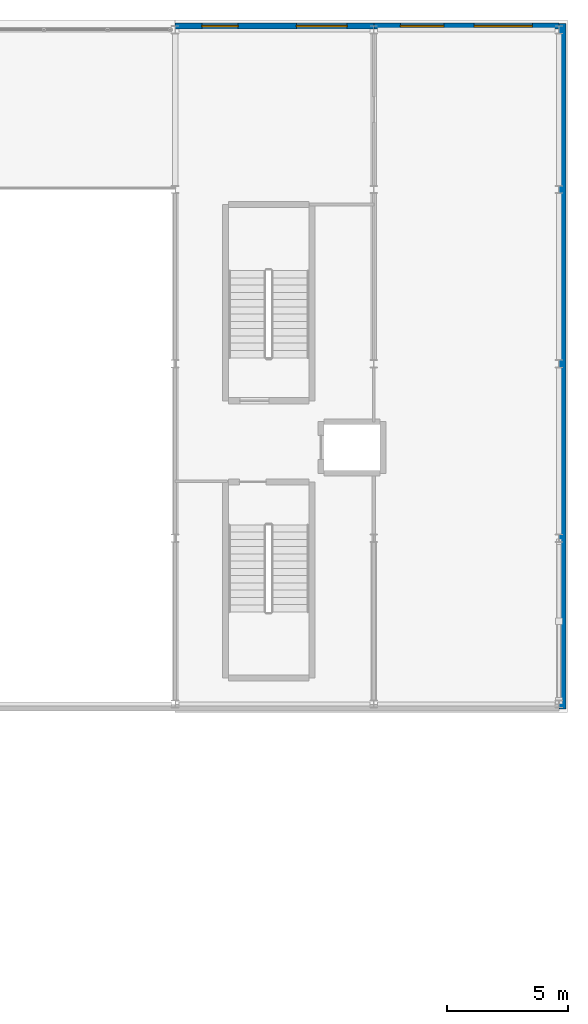
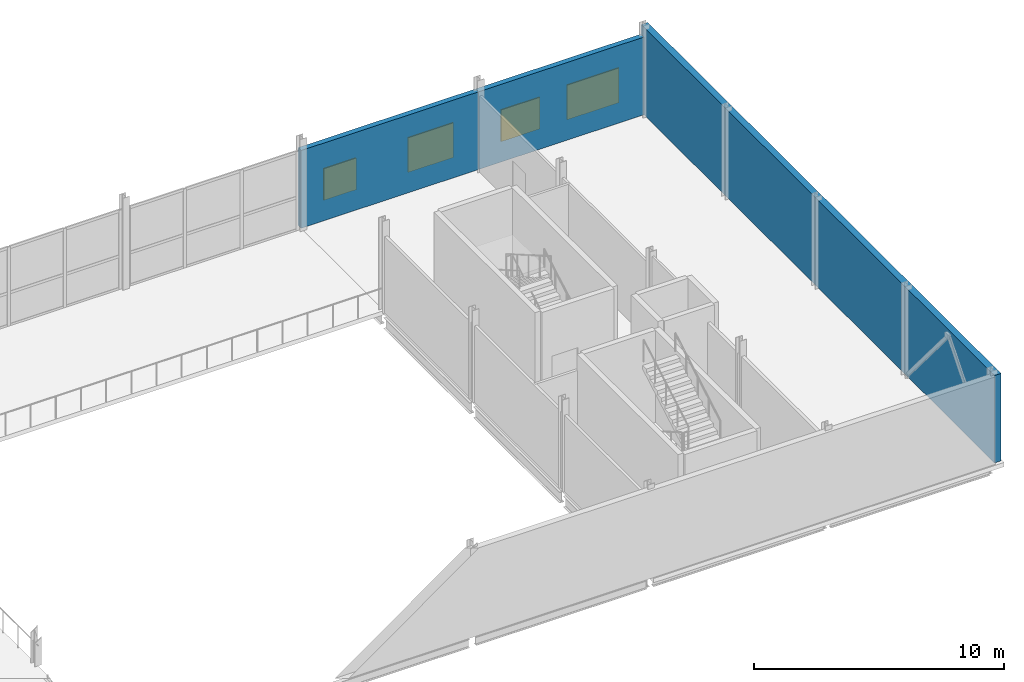
# One storey, part 69 of 77: 4 windows, 3 walls, 4 openings.
"""IFC4 building model written with IfcOpenShell, lengths in metres."""

from ifc_helpers import new_model, si_unit, direction, frame, frame_2d, origin, place, context, subcontext, project, spatial, rectangle, extrude, material, layer, layer_set, type_object, element, fill, save


model = new_model("IFC4")

# Units and contexts
model_context = context("Model", 3, precision=1e-05, world=origin(), true_north=direction((0.0, 1.0)))
body_context = subcontext(model_context, "Body", "Model", "MODEL_VIEW")
ifc_project = project(units=[si_unit("LENGTHUNIT", "METRE"), si_unit("AREAUNIT", "SQUARE_METRE"), si_unit("VOLUMEUNIT", "CUBIC_METRE"), si_unit("PLANEANGLEUNIT", "RADIAN"), si_unit("MASSUNIT", "GRAM", prefix="KILO")], contexts=[model_context])

# Site, building, storey
site_placement = place(None, origin())
site = spatial("IfcSite", under=ifc_project, at=site_placement, CompositionType="ELEMENT")
building_placement = place(site_placement, origin())
building = spatial("IfcBuilding", under=site, at=building_placement, Name="Quillay Park Conservatory", CompositionType="ELEMENT")
storey_placement = place(building_placement, frame((0.0, 0.0, 5.39990234375)))
storey = spatial("IfcBuildingStorey", under=building, at=storey_placement, Name="L01", CompositionType="ELEMENT", Elevation=5.39990234375)

# Wall, openings, windows
ifc_material_1 = material(Name="Glass-Fibre Reinforced Concrete (GRC) Cladding", Category="concrete")
ifc_layer_1 = layer(ifc_material_1, 0.239990234375)
ifc_layer_set_1 = layer_set([ifc_layer_1], Name="EXTERIOR SOLID WALL 240 (Glass-Fibre Reinforced Concrete (GRC) Cladding)")
wall_type_1 = type_object("IfcWallType", Name="EXTERIOR SOLID WALL 240", PredefinedType="SOLIDWALL", material=ifc_layer_set_1)
wall_1_placement = place(storey_placement, frame((148.0, 113.550048828125, 0.0), z_axis=(0.0, 0.0, 1.0), x_axis=(1.0, 0.0, 0.0)))
wall_1 = element("IfcWall", 1, at=wall_1_placement, inside=storey, type_object=wall_type_1, Name="L01 External Wall WL-EXT-V2NB-L01-3", PredefinedType="SOLIDWALL", context=body_context, shape_type="SweptSolid", body=[
    extrude(rectangle(XDim=8.199951171875, YDim=0.239990234375, at=frame_2d((4.10009765625, 0.0))), origin(), (0.0, 0.0, 1.0), 3.800048828125),
])
opening_1_placement = place(wall_1_placement, frame((1.10009765625, 0.0, 0.919921875)))
opening_1 = element("IfcOpeningElement", 2, at=opening_1_placement, cuts=wall_1, Name="Opening W-08", PredefinedType="OPENING", context=body_context, shape_type="SweptSolid", body=[
    extrude(rectangle(XDim=1.5, YDim=1.550048828125, at=frame_2d((0.75, 0.77490234375))), frame((0.0, 0.1201171875, 0.0), z_axis=(0.0, -1.0, 0.0), x_axis=(1.0, 0.0, 0.0)), (0.0, 0.0, 1.0), 0.239990234375),
])
opening_2_placement = place(wall_1_placement, frame((5.0, 0.0, 0.919921875)))
opening_2 = element("IfcOpeningElement", 3, at=opening_2_placement, cuts=wall_1, Name="Opening W-15", PredefinedType="OPENING", context=body_context, shape_type="SweptSolid", body=[
    extrude(rectangle(XDim=2.10009765625, YDim=1.699951171875, at=frame_2d((1.050048828125, 0.85009765625))), frame((0.0, 0.1201171875, 0.0), z_axis=(0.0, -1.0, 0.0), x_axis=(1.0, 0.0, 0.0)), (0.0, 0.0, 1.0), 0.239990234375),
])
ifc_material_2 = material(Name="Low-E Double Glazing (Laminated Tempered)", Category="glass")
window_type_1 = type_object("IfcWindowType", Name="FIXED CASEMENT WINDOW 1500 X1550", PartitioningType="SINGLE_PANEL", PredefinedType="WINDOW", material=ifc_material_2)
window_1_placement = place(opening_1_placement, origin())
window_1 = element("IfcWindow", 4, at=window_1_placement, inside=storey, type_object=window_type_1, Name="L01 Exterior Window 0385", OverallHeight=1.550048828125, OverallWidth=1.5, PartitioningType="SINGLE_PANEL", PredefinedType="WINDOW", context=body_context, shape_type="SweptSolid", body=[
    extrude(rectangle(XDim=1.5, YDim=1.550048828125, at=frame_2d((0.75, 0.77490234375))), frame((0.0, 0.030029296875, 0.0), z_axis=(0.0, -1.0, 0.0), x_axis=(1.0, 0.0, 0.0)), (0.0, 0.0, 1.0), 0.06005859375),
])
fill(opening_1, window_1)
ifc_material_3 = material(Name="Low-E Double Glazing (Laminated Tempered)", Category="glass")
window_type_2 = type_object("IfcWindowType", Name="FIXED CASEMENT WINDOW 2100 X1700", PartitioningType="DOUBLE_PANEL_VERTICAL", PredefinedType="WINDOW", material=ifc_material_3)
window_2_placement = place(opening_2_placement, origin())
window_2 = element("IfcWindow", 5, at=window_2_placement, inside=storey, type_object=window_type_2, Name="L01 Exterior Window 0386", OverallHeight=1.699951171875, OverallWidth=2.10009765625, PartitioningType="DOUBLE_PANEL_VERTICAL", PredefinedType="WINDOW", context=body_context, shape_type="SweptSolid", body=[
    extrude(rectangle(XDim=2.10009765625, YDim=1.699951171875, at=frame_2d((1.050048828125, 0.85009765625))), frame((0.0, 0.030029296875, 0.0), z_axis=(0.0, -1.0, 0.0), x_axis=(1.0, 0.0, 0.0)), (0.0, 0.0, 1.0), 0.06005859375),
])
fill(opening_2, window_2)

wall_2_placement = place(storey_placement, frame((156.199951171875, 113.550048828125, 0.0), z_axis=(0.0, 0.0, 1.0), x_axis=(1.0, 0.0, 0.0)))
wall_2 = element("IfcWall", 6, at=wall_2_placement, inside=storey, type_object=wall_type_1, Name="L01 External Wall WL-EXT-V2NB-L01-4", PredefinedType="SOLIDWALL", context=body_context, shape_type="SweptSolid", body=[
    extrude(rectangle(XDim=7.650146484375, YDim=0.239990234375, at=frame_2d((3.8251953125, 0.0))), origin(), (0.0, 0.0, 1.0), 3.800048828125),
])
opening_3_placement = place(wall_2_placement, frame((1.10009765625, 0.0, 0.919921875)))
opening_3 = element("IfcOpeningElement", 7, at=opening_3_placement, cuts=wall_2, Name="Opening W-09", PredefinedType="OPENING", context=body_context, shape_type="SweptSolid", body=[
    extrude(rectangle(XDim=1.800048828125, YDim=1.550048828125, at=frame_2d((0.89990234375, 0.77490234375))), frame((0.0, 0.1201171875, 0.0), z_axis=(0.0, -1.0, 0.0), x_axis=(1.0, 0.0, 0.0)), (0.0, 0.0, 1.0), 0.239990234375),
])
opening_4_placement = place(wall_2_placement, frame((4.14990234375, 0.0, 0.919921875)))
opening_4 = element("IfcOpeningElement", 8, at=opening_4_placement, cuts=wall_2, Name="Opening W-16", PredefinedType="OPENING", context=body_context, shape_type="SweptSolid", body=[
    extrude(rectangle(XDim=2.39990234375, YDim=1.699951171875, at=frame_2d((1.199951171875, 0.85009765625))), frame((0.0, 0.1201171875, 0.0), z_axis=(0.0, -1.0, 0.0), x_axis=(1.0, 0.0, 0.0)), (0.0, 0.0, 1.0), 0.239990234375),
])
ifc_material_4 = material(Name="Low-E Double Glazing (Laminated Tempered)", Category="glass")
window_type_3 = type_object("IfcWindowType", Name="FIXED CASEMENT WINDOW 1800 X1550", PartitioningType="DOUBLE_PANEL_VERTICAL", PredefinedType="WINDOW", material=ifc_material_4)
window_3_placement = place(opening_3_placement, origin())
window_3 = element("IfcWindow", 9, at=window_3_placement, inside=storey, type_object=window_type_3, Name="L01 Exterior Window 0387", OverallHeight=1.550048828125, OverallWidth=1.800048828125, PartitioningType="DOUBLE_PANEL_VERTICAL", PredefinedType="WINDOW", context=body_context, shape_type="SweptSolid", body=[
    extrude(rectangle(XDim=1.800048828125, YDim=1.550048828125, at=frame_2d((0.89990234375, 0.77490234375))), frame((0.0, 0.030029296875, 0.0), z_axis=(0.0, -1.0, 0.0), x_axis=(1.0, 0.0, 0.0)), (0.0, 0.0, 1.0), 0.06005859375),
])
fill(opening_3, window_3)
ifc_material_5 = material(Name="Low-E Double Glazing (Laminated Tempered)", Category="glass")
window_type_4 = type_object("IfcWindowType", Name="FIXED CASEMENT WINDOW 2400 X1700", PartitioningType="DOUBLE_PANEL_VERTICAL", PredefinedType="WINDOW", material=ifc_material_5)
window_4_placement = place(opening_4_placement, origin())
window_4 = element("IfcWindow", 10, at=window_4_placement, inside=storey, type_object=window_type_4, Name="L01 Exterior Window 0388", OverallHeight=1.699951171875, OverallWidth=2.39990234375, PartitioningType="DOUBLE_PANEL_VERTICAL", PredefinedType="WINDOW", context=body_context, shape_type="SweptSolid", body=[
    extrude(rectangle(XDim=2.39990234375, YDim=1.699951171875, at=frame_2d((1.199951171875, 0.85009765625))), frame((0.0, 0.030029296875, 0.0), z_axis=(0.0, -1.0, 0.0), x_axis=(1.0, 0.0, 0.0)), (0.0, 0.0, 1.0), 0.06005859375),
])
fill(opening_4, window_4)

# Wall
ifc_material_6 = material(Name="Concrete C35/45 (NCh170 Concrete C35/45)", Category="concrete")
ifc_layer_2 = layer(ifc_material_6, 0.300048828125)
ifc_layer_set_2 = layer_set([ifc_layer_2], Name="SOLID FIREWALL 300 (Concrete C35/45 (NCh170 Concrete C35/45))")
wall_type_2 = type_object("IfcWallType", Name="SOLID FIREWALL 300", PredefinedType="SOLIDWALL", material=ifc_layer_set_2)
wall_3_placement = place(storey_placement, frame((164.0, 113.64990234375, 0.0), z_axis=(0.0, 0.0, 1.0), x_axis=(0.0, -1.0, 0.0)))
element("IfcWall", 11, at=wall_3_placement, inside=storey, type_object=wall_type_2, Name="L01 East Neighbour Party Firewall", PredefinedType="SOLIDWALL", context=body_context, shape_type="SweptSolid", body=[
    extrude(rectangle(XDim=28.2998046875, YDim=0.300048828125, at=frame_2d((14.14990234375, 0.0))), origin(), (0.0, 0.0, 1.0), 4.280029296875),
])

save(model, "model.ifc")
